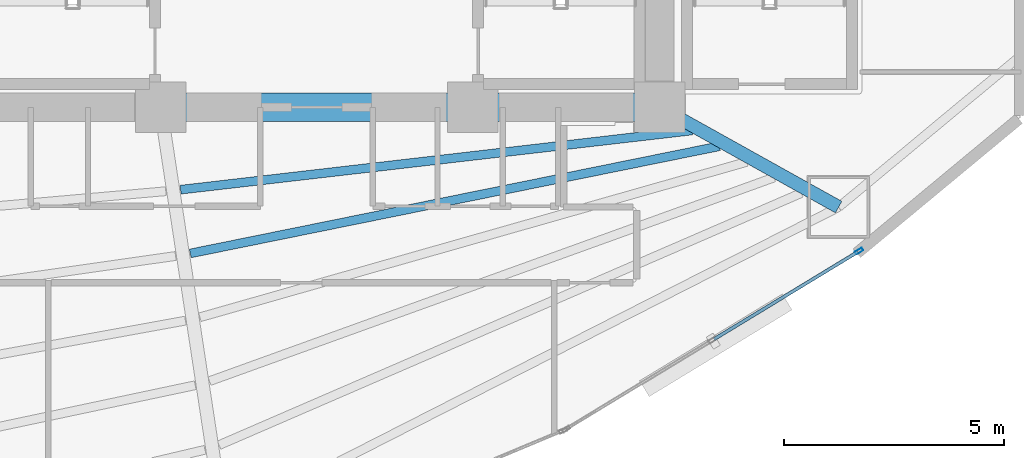
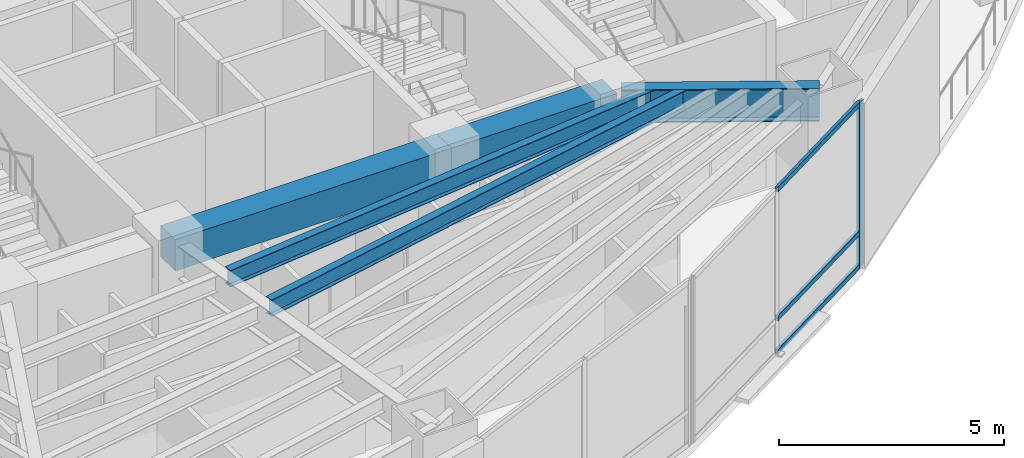
# One storey, part 6 of 18: 5 beams, 4 members, 1 element without a shape of its own.
"""IFC4 building model written with IfcOpenShell, lengths in metres."""

from ifc_helpers import new_model, si_unit, direction, frame, origin, origin_2d, place, context, subcontext, project, spatial, rectangle, hollow_rectangle, i_section, extrude, material, layer, layer_set, material_profile, profile_set, type_object, element, aggregate, save


model = new_model("IFC4")

# Units and contexts
model_context = context("Model", 3, precision=1e-05, world=origin(), true_north=direction((0.0, 1.0)))
body_context = subcontext(model_context, "Body", "Model", "MODEL_VIEW")
ifc_project = project(units=[si_unit("LENGTHUNIT", "METRE"), si_unit("AREAUNIT", "SQUARE_METRE"), si_unit("VOLUMEUNIT", "CUBIC_METRE"), si_unit("PLANEANGLEUNIT", "RADIAN"), si_unit("MASSUNIT", "GRAM", prefix="KILO")], contexts=[model_context])

# Site, building, storey
site_placement = place(None, origin())
site = spatial("IfcSite", under=ifc_project, at=site_placement, CompositionType="ELEMENT")
building_placement = place(site_placement, origin())
building = spatial("IfcBuilding", under=site, at=building_placement, Name="Menara Vayukalpa", CompositionType="ELEMENT")
storey_placement = place(building_placement, frame((0.0, 0.0, 18.0)))
storey = spatial("IfcBuildingStorey", under=building, at=storey_placement, Name="L03", CompositionType="ELEMENT", Elevation=18.0)

# Beams
ifc_material_1 = material(Name="Concrete C60/75", Category="concrete")
ifc_material_profile_1 = material_profile(ifc_material_1, rectangle(XDim=0.64990234375, YDim=0.85009765625, at=origin_2d()), Name="RC 650x850")
ifc_profile_set_1 = profile_set([ifc_material_profile_1], Name="Concrete C60/75")
beam_type_1 = type_object("IfcBeamType", Name="BM-CB1", PredefinedType="BEAM", material=ifc_profile_set_1)
beam_1_placement = place(storey_placement, frame((22.050048828125, 17.199951171875, 4.054931640625), z_axis=(1.0, 0.0, 0.0), x_axis=(0.0, 1.0, 0.0)))
element("IfcBeam", 1, at=beam_1_placement, inside=storey, type_object=beam_type_1, Name="L03 Core Tie Beam CBR2", PredefinedType="BEAM", context=body_context, shape_type="SweptSolid", body=[
    extrude(rectangle(XDim=0.64990234375, YDim=0.85009765625, at=origin_2d()), origin(), (0.0, 0.0, 1.0), 7.099853515625),
])
beam_2_placement = place(storey_placement, frame((29.14990234375, 17.199951171875, 4.054931640625), z_axis=(1.0, 0.0, 0.0), x_axis=(0.0, 1.0, 0.0)))
element("IfcBeam", 2, at=beam_2_placement, inside=storey, type_object=beam_type_1, Name="L03 Core Tie Beam CBR3", PredefinedType="BEAM", context=body_context, shape_type="SweptSolid", body=[
    extrude(rectangle(XDim=0.64990234375, YDim=0.85009765625, at=origin_2d()), origin(), (0.0, 0.0, 1.0), 4.25),
])
ifc_material_2 = material(Name="Steel S355", Category="steel")
ifc_material_profile_2 = material_profile(ifc_material_2, i_section(OverallWidth=0.300048828125, OverallDepth=0.89990234375, WebThickness=0.01611328125, FlangeThickness=0.028076171875, at=origin_2d()), Name="WF 900x300x16x28")
ifc_profile_set_2 = profile_set([ifc_material_profile_2], Name="Steel S355")
beam_type_2 = type_object("IfcBeamType", Name="BM-PG1", PredefinedType="BEAM", material=ifc_profile_set_2)
beam_3_placement = place(storey_placement, frame((33.618408203125, 17.078369140625, 4.030029296875), z_axis=(0.873472891879, -0.486872783335, 0.0), x_axis=(0.486872783335, 0.873472891879, 0.0)))
element("IfcBeam", 3, at=beam_3_placement, inside=storey, type_object=beam_type_2, Name="L03 Primary Radial Girder RG09", PredefinedType="BEAM", context=body_context, shape_type="SweptSolid", body=[
    extrude(i_section(OverallWidth=0.300048828125, OverallDepth=0.89990234375, WebThickness=0.01611328125, FlangeThickness=0.028076171875, at=origin_2d()), origin(), (0.0, 0.0, 1.0), 4.414306640625),
])
ifc_material_3 = material(Name="Steel S355", Category="steel")
ifc_material_profile_3 = material_profile(ifc_material_3, i_section(OverallWidth=0.199951171875, OverallDepth=0.449951171875, WebThickness=0.009033203125, FlangeThickness=0.013916015625, at=origin_2d()), Name="WF 450x200x9x14")
ifc_profile_set_3 = profile_set([ifc_material_profile_3], Name="Steel S355")
beam_type_3 = type_object("IfcBeamType", Name="BM-SJ1", PredefinedType="JOIST", material=ifc_profile_set_3)
beam_4_placement = place(storey_placement, frame((22.506103515625, 15.324951171875, 4.2548828125), z_axis=(0.993368624996, 0.114972931045, 0.0), x_axis=(-0.114972931045, 0.993368624996, 0.0)))
element("IfcBeam", 4, at=beam_4_placement, inside=storey, type_object=beam_type_3, Name="L03 Secondary Floor Joist SJ08-1", PredefinedType="JOIST", context=body_context, shape_type="SweptSolid", body=[
    extrude(i_section(OverallWidth=0.199951171875, OverallDepth=0.449951171875, WebThickness=0.009033203125, FlangeThickness=0.013916015625, at=origin_2d()), origin(), (0.0, 0.0, 1.0), 11.715087890625),
])
beam_5_placement = place(storey_placement, frame((22.72607421875, 13.874755859375, 4.2548828125), z_axis=(0.980082096832, 0.198592757847, 0.0), x_axis=(-0.198592757847, 0.980082096832, 0.0)))
element("IfcBeam", 5, at=beam_5_placement, inside=storey, type_object=beam_type_3, Name="L03 Secondary Floor Joist SJ08-2", PredefinedType="JOIST", context=body_context, shape_type="SweptSolid", body=[
    extrude(i_section(OverallWidth=0.199951171875, OverallDepth=0.449951171875, WebThickness=0.009033203125, FlangeThickness=0.013916015625, at=origin_2d()), origin(), (0.0, 0.0, 1.0), 12.28125),
])

# Curtain wall, members
ifc_material_4 = material(Name="Anodised Terracotta Aluminium Alloy 6063-T6", Category="masonry")
ifc_layer = layer(ifc_material_4, 0.179931640625)
ifc_layer_set = layer_set([ifc_layer], Name="Anodised Terracotta Aluminium Alloy 6063-T6")
curtain_wall_type = type_object("IfcCurtainWallType", Name="CW-CW1", PredefinedType="USERDEFINED", material=ifc_layer_set)
curtain_wall_placement = place(storey_placement, origin())
curtain_wall = element("IfcCurtainWall", 6, at=curtain_wall_placement, inside=storey, type_object=curtain_wall_type, Name="L03 Podium Unitised Ribbon Curtain Wall CW1 17", ObjectType="UNITISED", PredefinedType="USERDEFINED")
ifc_material_5 = material(Name="Anodised Terracotta Aluminium Alloy 6063-T6", Category="masonry")
ifc_material_profile_4 = material_profile(ifc_material_5, hollow_rectangle(XDim=0.074951171875, YDim=0.179931640625, WallThickness=0.00390625, at=origin_2d()), Name="ALU 75x180x4")
ifc_profile_set_4 = profile_set([ifc_material_profile_4], Name="Anodised Terracotta Aluminium Alloy 6063-T6")
member_type_1 = type_object("IfcMemberType", Name="CWM-CW1", PredefinedType="MULLION", material=ifc_profile_set_4)
member_1_placement = place(storey_placement, frame((37.941162109375, 13.929443359375, 0.0), z_axis=(0.0, 0.0, 1.0), x_axis=(-0.519179879231, 0.854664994604, 0.0)))
member_1 = element("IfcMember", 7, at=member_1_placement, type_object=member_type_1, Name="CW1 mullion 3", PredefinedType="MULLION", context=body_context, shape_type="SweptSolid", body=[
    extrude(hollow_rectangle(XDim=0.074951171875, YDim=0.179931640625, WallThickness=0.00390625, at=origin_2d()), origin(), (0.0, 0.0, 1.0), 4.47998046875),
])
ifc_material_6 = material(Name="Anodised Terracotta Aluminium Alloy 6063-T6", Category="masonry")
ifc_material_profile_5 = material_profile(ifc_material_6, hollow_rectangle(XDim=0.074951171875, YDim=0.135009765625, WallThickness=0.00390625, at=origin_2d()), Name="ALU 75x135x4")
ifc_profile_set_5 = profile_set([ifc_material_profile_5], Name="Anodised Terracotta Aluminium Alloy 6063-T6")
member_type_2 = type_object("IfcMemberType", Name="CWT-CW1", PredefinedType="USERDEFINED", material=ifc_profile_set_5)
member_2_placement = place(storey_placement, frame((34.639404296875, 11.923583984375, 0.03759765625), z_axis=(0.85465908819, 0.519189602144, 0.0), x_axis=(-0.519189602144, 0.85465908819, 0.0)))
member_2 = element("IfcMember", 8, at=member_2_placement, type_object=member_type_2, Name="CW1 transom 2.1", ObjectType="TRANSOM", PredefinedType="USERDEFINED", context=body_context, shape_type="SweptSolid", body=[
    extrude(hollow_rectangle(XDim=0.074951171875, YDim=0.135009765625, WallThickness=0.00390625, at=origin_2d()), origin(), (0.0, 0.0, 1.0), 3.825927734375),
])
member_3_placement = place(storey_placement, frame((34.639404296875, 11.923583984375, 0.949951171875), z_axis=(0.85465908819, 0.519189602144, 0.0), x_axis=(-0.519189602144, 0.85465908819, 0.0)))
member_3 = element("IfcMember", 9, at=member_3_placement, type_object=member_type_2, Name="CW1 transom 2.2", ObjectType="TRANSOM", PredefinedType="USERDEFINED", context=body_context, shape_type="SweptSolid", body=[
    extrude(hollow_rectangle(XDim=0.074951171875, YDim=0.135009765625, WallThickness=0.00390625, at=origin_2d()), origin(), (0.0, 0.0, 1.0), 3.825927734375),
])
member_4_placement = place(storey_placement, frame((34.639404296875, 11.923583984375, 4.4423828125), z_axis=(0.85465908819, 0.519189602144, 0.0), x_axis=(-0.519189602144, 0.85465908819, 0.0)))
member_4 = element("IfcMember", 10, at=member_4_placement, type_object=member_type_2, Name="CW1 transom 2.3", ObjectType="TRANSOM", PredefinedType="USERDEFINED", context=body_context, shape_type="SweptSolid", body=[
    extrude(hollow_rectangle(XDim=0.074951171875, YDim=0.135009765625, WallThickness=0.00390625, at=origin_2d()), origin(), (0.0, 0.0, 1.0), 3.825927734375),
])
aggregate(curtain_wall, [member_1, member_2, member_3, member_4])

save(model, "model.ifc")
